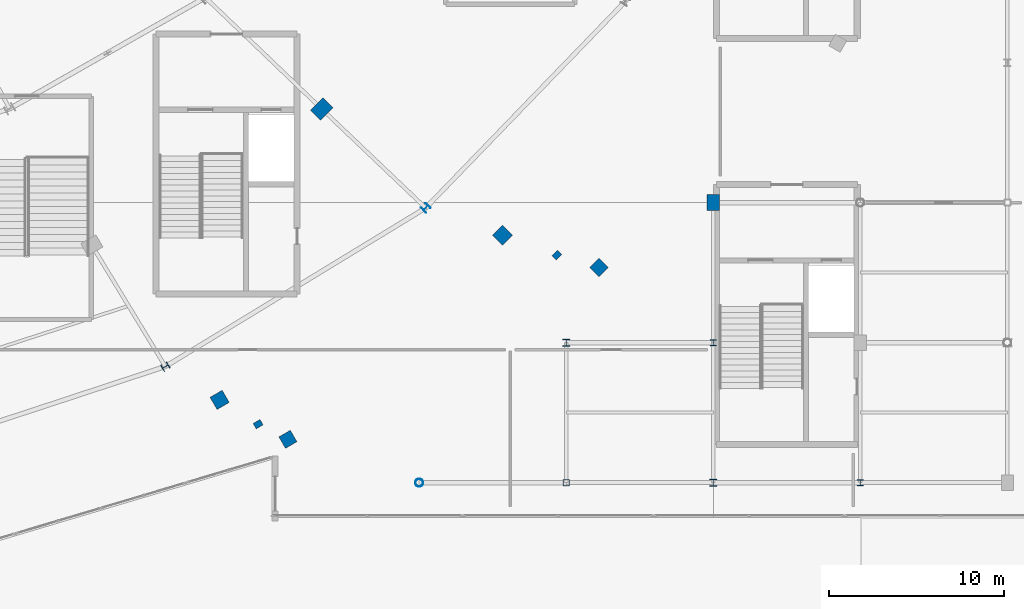
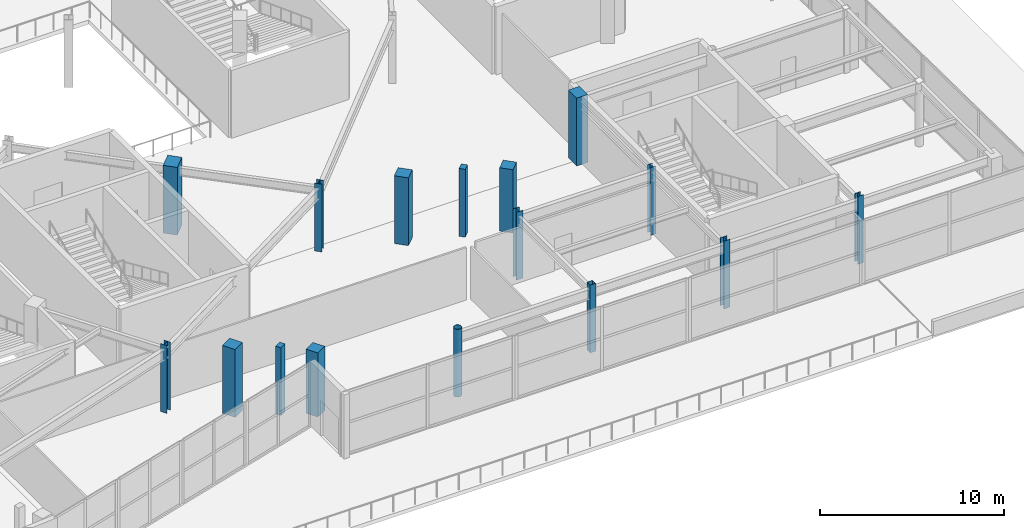
# One storey, part 10 of 107: 16 columns.
"""IFC4 building model written with IfcOpenShell, lengths in metres."""

from ifc_helpers import new_model, si_unit, direction, frame, origin, origin_2d, place, context, subcontext, project, spatial, rectangle, hollow_rectangle, hollow_circle, i_section, extrude, material, material_profile, profile_set, type_object, element, save


model = new_model("IFC4")

# Units and contexts
model_context = context("Model", 3, precision=1e-05, world=origin(), true_north=direction((0.0, 1.0)))
body_context = subcontext(model_context, "Body", "Model", "MODEL_VIEW")
ifc_project = project(units=[si_unit("LENGTHUNIT", "METRE"), si_unit("AREAUNIT", "SQUARE_METRE"), si_unit("VOLUMEUNIT", "CUBIC_METRE"), si_unit("PLANEANGLEUNIT", "RADIAN"), si_unit("MASSUNIT", "GRAM", prefix="KILO")], contexts=[model_context])

# Site, building, storey
site_placement = place(None, origin())
site = spatial("IfcSite", under=ifc_project, at=site_placement, CompositionType="ELEMENT")
building_placement = place(site_placement, origin())
building = spatial("IfcBuilding", under=site, at=building_placement, Name="Kalgoora Escarpment Arena", CompositionType="ELEMENT")
storey_placement = place(building_placement, frame((0.0, 0.0, 5.39990234375)))
storey = spatial("IfcBuildingStorey", under=building, at=storey_placement, Name="L01", CompositionType="ELEMENT", Elevation=5.39990234375)

# Columns
ifc_material_1 = material(Name="Structural steel Grade 350 (350 MPa)", Category="steel")
ifc_material_profile_1 = material_profile(ifc_material_1, i_section(OverallWidth=0.35009765625, OverallDepth=0.35009765625, WebThickness=0.013916015625, FlangeThickness=0.02392578125, at=origin_2d()))
ifc_profile_set_1 = profile_set([ifc_material_profile_1], Name="Structural steel Grade 350 (350 MPa)")
column_type_1 = type_object("IfcColumnType", Name="COL-COL-350WC197", PredefinedType="COLUMN", material=ifc_profile_set_1)
for number, where, z_axis, x_axis, name in (
    (1, (159.60009765625, 16.0, 0.0), (0.0, 0.0, 1.0), (1.0, 0.0, 0.0), "L01 structural column COL-G20-C"),
    (2, (168.0, 8.0, 0.0), (0.0, 0.0, 1.0), (1.0, 0.0, 0.0), "L01 structural column COL-G21-B"),
):
    element("IfcColumn", number, at=place(storey_placement, frame(where, z_axis=z_axis, x_axis=x_axis)), inside=storey, type_object=column_type_1, Name=name, PredefinedType="COLUMN", context=body_context, shape_type="SweptSolid", body=[
        extrude(i_section(OverallWidth=0.35009765625, OverallDepth=0.35009765625, WebThickness=0.013916015625, FlangeThickness=0.02392578125, at=origin_2d()), origin(), (0.0, 0.0, 1.0), 4.5),
    ])
ifc_material_2 = material(Name="Structural steel C450 (450 MPa)", Category="steel")
ifc_material_profile_2 = material_profile(ifc_material_2, hollow_rectangle(XDim=0.35009765625, YDim=0.35009765625, WallThickness=0.01611328125, at=origin_2d()))
ifc_profile_set_2 = profile_set([ifc_material_profile_2], Name="Structural steel C450 (450 MPa)")
column_type_2 = type_object("IfcColumnType", Name="COL-COL-350x350x16.0SHS", PredefinedType="COLUMN", material=ifc_profile_set_2)
column_1_placement = place(storey_placement, frame((151.199951171875, 8.0, 0.0), z_axis=(0.0, 0.0, 1.0), x_axis=(1.0, 0.0, 0.0)))
element("IfcColumn", 3, at=column_1_placement, inside=storey, type_object=column_type_2, Name="L01 structural column COL-G19-B", PredefinedType="COLUMN", context=body_context, shape_type="SweptSolid", body=[
    extrude(hollow_rectangle(XDim=0.35009765625, YDim=0.35009765625, WallThickness=0.01611328125, at=origin_2d()), origin(), (0.0, 0.0, 1.0), 4.5),
])
ifc_material_3 = material(Name="Structural steel Grade 350 (350 MPa)", Category="steel")
ifc_material_profile_3 = material_profile(ifc_material_3, i_section(OverallWidth=0.39990234375, OverallDepth=0.39990234375, WebThickness=0.01611328125, FlangeThickness=0.028076171875, at=origin_2d()))
ifc_profile_set_3 = profile_set([ifc_material_profile_3], Name="Structural steel Grade 350 (350 MPa)")
column_type_3 = type_object("IfcColumnType", Name="COL-COL-400WC212", PredefinedType="COLUMN", material=ifc_profile_set_3)
for number, where, z_axis, x_axis, name in (
    (4, (151.199951171875, 16.0, 0.0), (0.0, 0.0, 1.0), (1.0, 0.0, 0.0), "L01 structural column COL-G19-C"),
    (5, (159.60009765625, 8.0, 0.0), (0.0, 0.0, 1.0), (1.0, 0.0, 0.0), "L01 structural column COL-G20-B"),
):
    element("IfcColumn", number, at=place(storey_placement, frame(where, z_axis=z_axis, x_axis=x_axis)), inside=storey, type_object=column_type_3, Name=name, PredefinedType="COLUMN", context=body_context, shape_type="SweptSolid", body=[
        extrude(i_section(OverallWidth=0.39990234375, OverallDepth=0.39990234375, WebThickness=0.01611328125, FlangeThickness=0.028076171875, at=origin_2d()), origin(), (0.0, 0.0, 1.0), 4.5),
    ])
ifc_material_4 = material(Name="Structural steel Grade 350 (350 MPa)", Category="steel")
ifc_material_profile_4 = material_profile(ifc_material_4, i_section(OverallWidth=0.39990234375, OverallDepth=0.39990234375, WebThickness=0.01806640625, FlangeThickness=0.031982421875, at=origin_2d()))
ifc_profile_set_4 = profile_set([ifc_material_profile_4], Name="Structural steel Grade 350 (350 MPa)")
column_type_4 = type_object("IfcColumnType", Name="COL-COL-400WC270", PredefinedType="COLUMN", material=ifc_profile_set_4)
for number, where, z_axis, x_axis, name in (
    (6, (128.300048828125, 14.63671875, 0.0), (0.0, 0.0, 1.0), (0.5, -0.866025403784, 0.0), "L01 structural column COL-RCONC2-R21"),
    (7, (143.17041015625, 23.69482421875, 0.0), (0.0, 0.0, 1.0), (0.707106781187, -0.707106781187, 0.0), "L01 structural column COL-RCONC2-R22"),
):
    element("IfcColumn", number, at=place(storey_placement, frame(where, z_axis=z_axis, x_axis=x_axis)), inside=storey, type_object=column_type_4, Name=name, PredefinedType="COLUMN", context=body_context, shape_type="SweptSolid", body=[
        extrude(i_section(OverallWidth=0.39990234375, OverallDepth=0.39990234375, WebThickness=0.01806640625, FlangeThickness=0.031982421875, at=origin_2d()), origin(), (0.0, 0.0, 1.0), 4.5),
    ])
ifc_material_5 = material(Name="Structural steel C350 (350 MPa)", Category="steel")
ifc_material_profile_5 = material_profile(ifc_material_5, hollow_circle(Radius=0.228515625, WallThickness=0.01611328125, at=origin_2d()))
ifc_profile_set_5 = profile_set([ifc_material_profile_5], Name="Structural steel C350 (350 MPa)")
column_type_5 = type_object("IfcColumnType", Name="COL-COL-457.0x16.0CHS", PredefinedType="COLUMN", material=ifc_profile_set_5)
column_2_placement = place(storey_placement, frame((142.800048828125, 8.0, 0.0), z_axis=(0.0, 0.0, 1.0), x_axis=(1.0, 0.0, 0.0)))
element("IfcColumn", 8, at=column_2_placement, inside=storey, type_object=column_type_5, Name="L01 structural column COL-G18-B", PredefinedType="COLUMN", context=body_context, shape_type="SweptSolid", body=[
    extrude(hollow_circle(Radius=0.228515625, WallThickness=0.01611328125, at=origin_2d()), origin(), (0.0, 0.0, 1.0), 4.5),
])
ifc_material_6 = material(Name="Concrete N50 (fc' 50 MPa)", Category="concrete")
ifc_material_profile_6 = material_profile(ifc_material_6, rectangle(XDim=0.800048828125, YDim=1.0, at=origin_2d()))
ifc_profile_set_6 = profile_set([ifc_material_profile_6], Name="Concrete N50 (fc' 50 MPa)")
column_type_6 = type_object("IfcColumnType", Name="COL-COL-RC1000x800", PredefinedType="COLUMN", material=ifc_profile_set_6)
column_3_placement = place(storey_placement, frame((137.230712890625, 29.351806640625, 0.0), z_axis=(0.0, 0.0, 1.0), x_axis=(0.707106781187, -0.707106781187, 0.0)))
element("IfcColumn", 9, at=column_3_placement, inside=storey, type_object=column_type_6, Name="L01 structural column COL-RCONC1-R22", PredefinedType="COLUMN", context=body_context, shape_type="SweptSolid", body=[
    extrude(rectangle(XDim=0.800048828125, YDim=1.0, at=origin_2d()), origin(), (0.0, 0.0, 1.0), 4.5),
])
ifc_material_7 = material(Name="Concrete N50 (fc' 50 MPa)", Category="concrete")
ifc_material_profile_7 = material_profile(ifc_material_7, rectangle(XDim=0.75, YDim=0.75, at=origin_2d()))
ifc_profile_set_7 = profile_set([ifc_material_profile_7], Name="Concrete N50 (fc' 50 MPa)")
column_type_7 = type_object("IfcColumnType", Name="COL-COL-RC750x750", PredefinedType="COLUMN", material=ifc_profile_set_7)
column_4_placement = place(storey_placement, frame((135.300048828125, 10.4794921875, 0.0), z_axis=(0.0, 0.0, 1.0), x_axis=(0.5, -0.866025403784, 0.0)))
element("IfcColumn", 10, at=column_4_placement, inside=storey, type_object=column_type_7, Name="L01 structural column COL-RBASE2-R21", PredefinedType="COLUMN", context=body_context, shape_type="SweptSolid", body=[
    extrude(rectangle(XDim=0.75, YDim=0.75, at=origin_2d()), origin(), (0.0, 0.0, 1.0), 4.25),
])
column_5_placement = place(storey_placement, frame((153.06982421875, 20.30078125, 0.0), z_axis=(0.0, 0.0, 1.0), x_axis=(0.707106781187, -0.707106781187, 0.0)))
element("IfcColumn", 11, at=column_5_placement, inside=storey, type_object=column_type_7, Name="L01 structural column COL-RBASE2-R22", PredefinedType="COLUMN", context=body_context, shape_type="SweptSolid", body=[
    extrude(rectangle(XDim=0.75, YDim=0.75, at=origin_2d()), origin(), (0.0, 0.0, 1.0), 4.2001953125),
])
ifc_material_8 = material(Name="Concrete N50 (fc' 50 MPa)", Category="concrete")
ifc_material_profile_8 = material_profile(ifc_material_8, rectangle(XDim=0.800048828125, YDim=0.800048828125, at=origin_2d()))
ifc_profile_set_8 = profile_set([ifc_material_profile_8], Name="Concrete N50 (fc' 50 MPa)")
column_type_8 = type_object("IfcColumnType", Name="COL-COL-RC800x800", PredefinedType="COLUMN", material=ifc_profile_set_8)
for number, where, z_axis, x_axis, name in (
    (12, (131.39990234375, 12.731201171875, 0.0), (0.0, 0.0, 1.0), (0.5, -0.866025403784, 0.0), "L01 structural column COL-RBASE1-R21"),
    (13, (147.55419921875, 22.139404296875, 0.0), (0.0, 0.0, 1.0), (0.707106781187, -0.707106781187, 0.0), "L01 structural column COL-RBASE1-R22"),
):
    element("IfcColumn", number, at=place(storey_placement, frame(where, z_axis=z_axis, x_axis=x_axis)), inside=storey, type_object=column_type_8, Name=name, PredefinedType="COLUMN", context=body_context, shape_type="SweptSolid", body=[
        extrude(rectangle(XDim=0.800048828125, YDim=0.800048828125, at=origin_2d()), origin(), (0.0, 0.0, 1.0), 4.5),
    ])
ifc_material_9 = material(Name="Concrete N50 (fc' 50 MPa)", Category="concrete")
ifc_material_profile_9 = material_profile(ifc_material_9, rectangle(XDim=0.699951171875, YDim=0.89990234375, at=origin_2d()))
ifc_profile_set_9 = profile_set([ifc_material_profile_9], Name="Concrete N50 (fc' 50 MPa)")
column_type_9 = type_object("IfcColumnType", Name="COL-COL-RC900x700", PredefinedType="COLUMN", material=ifc_profile_set_9)
column_6_placement = place(storey_placement, frame((159.60009765625, 24.0, 0.0), z_axis=(0.0, 0.0, 1.0), x_axis=(1.0, 0.0, 0.0)))
element("IfcColumn", 14, at=column_6_placement, inside=storey, type_object=column_type_9, Name="L01 structural column COL-G20-D", PredefinedType="COLUMN", context=body_context, shape_type="SweptSolid", body=[
    extrude(rectangle(XDim=0.699951171875, YDim=0.89990234375, at=origin_2d()), origin(), (0.0, 0.0, 1.0), 4.5),
])
ifc_material_10 = material(Name="Precast concrete N50 (fc' 50 MPa)", Category="concrete")
ifc_material_profile_10 = material_profile(ifc_material_10, rectangle(XDim=0.35009765625, YDim=0.449951171875, at=origin_2d()))
ifc_profile_set_10 = profile_set([ifc_material_profile_10], Name="Precast concrete N50 (fc' 50 MPa)")
column_type_10 = type_object("IfcColumnType", Name="COL-PIL-PC-PILASTER-450x350", PredefinedType="PILASTER", material=ifc_profile_set_10)
for number, where, z_axis, x_axis, name in (
    (15, (133.60009765625, 11.345947265625, 0.0), (0.0, 0.0, 1.0), (0.5, -0.866025403784, 0.0), "L01 fluted pilaster PIL-066"),
    (16, (150.666015625, 21.008056640625, 0.0), (0.0, 0.0, 1.0), (0.707106781187, -0.707106781187, 0.0), "L01 fluted pilaster PIL-067"),
):
    element("IfcColumn", number, at=place(storey_placement, frame(where, z_axis=z_axis, x_axis=x_axis)), inside=storey, type_object=column_type_10, Name=name, PredefinedType="PILASTER", context=body_context, shape_type="SweptSolid", body=[
        extrude(rectangle(XDim=0.35009765625, YDim=0.449951171875, at=origin_2d()), origin(), (0.0, 0.0, 1.0), 4.5),
    ])

save(model, "model.ifc")
